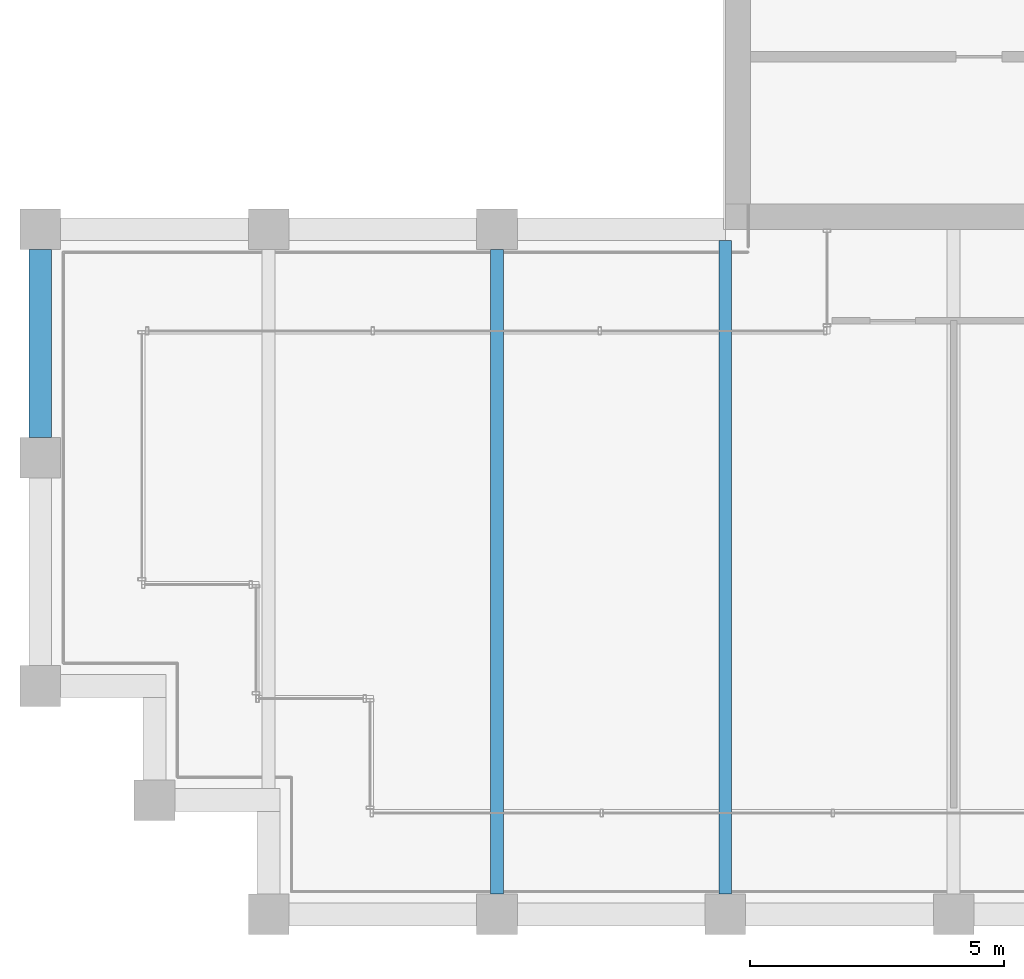
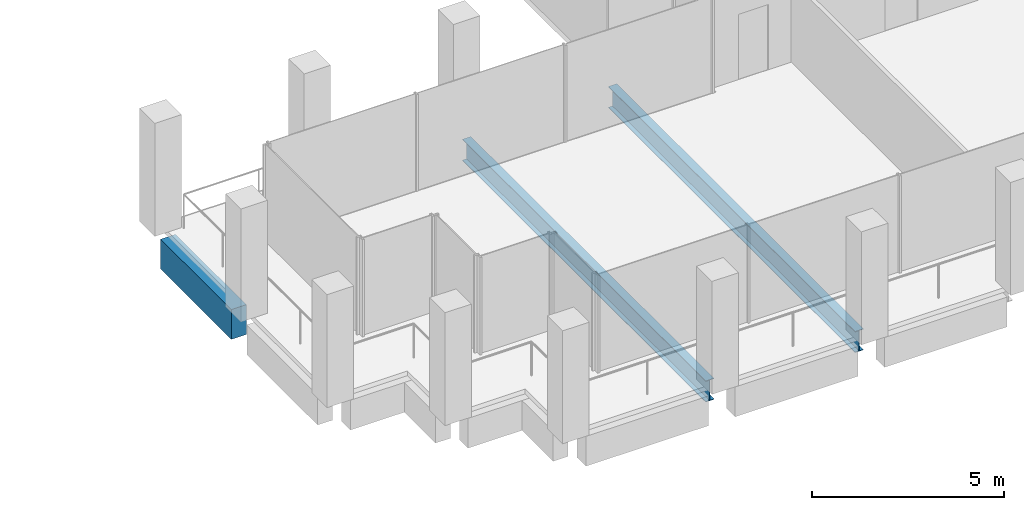
# One storey, part 4 of 30: 3 beams.
"""IFC4 building model written with IfcOpenShell, lengths in metres."""

from ifc_helpers import new_model, si_unit, direction, frame, origin, origin_2d, place, context, subcontext, project, spatial, rectangle, i_section, extrude, material, material_profile, profile_set, type_object, element, save


model = new_model("IFC4")

# Units and contexts
model_context = context("Model", 3, precision=1e-05, world=origin(), true_north=direction((0.0, 1.0)))
body_context = subcontext(model_context, "Body", "Model", "MODEL_VIEW")
ifc_project = project(units=[si_unit("LENGTHUNIT", "METRE"), si_unit("AREAUNIT", "SQUARE_METRE"), si_unit("VOLUMEUNIT", "CUBIC_METRE"), si_unit("PLANEANGLEUNIT", "RADIAN"), si_unit("MASSUNIT", "GRAM", prefix="KILO")], contexts=[model_context])

# Site, building, storey
site_placement = place(None, origin())
site = spatial("IfcSite", under=ifc_project, at=site_placement, CompositionType="ELEMENT")
building_placement = place(site_placement, origin())
building = spatial("IfcBuilding", under=site, at=building_placement, Name="Altepetl Exchange Towers", CompositionType="ELEMENT")
storey_placement = place(building_placement, frame((0.0, 0.0, 242.39990234375)))
storey = spatial("IfcBuildingStorey", under=building, at=storey_placement, Name="L62", CompositionType="ELEMENT", Elevation=242.39990234375)

# Beams
ifc_material_1 = material(Name="Steel S355", Category="steel")
ifc_material_profile_1 = material_profile(ifc_material_1, i_section(OverallWidth=0.2529296875, OverallDepth=0.677978515625, WebThickness=0.01171875, FlangeThickness=0.016357421875, at=origin_2d()), Name="W27X84")
ifc_profile_set_1 = profile_set([ifc_material_profile_1], Name="Steel S355")
beam_type_1 = type_object("IfcBeamType", Name="Floor beam W27X84", PredefinedType="BEAM", material=ifc_profile_set_1)
beam_1_placement = place(storey_placement, frame((36.0, 27.39990234375, -0.489013671875), z_axis=(0.0, 1.0, 0.0), x_axis=(-1.0, 0.0, 0.0)))
element("IfcBeam", 1, at=beam_1_placement, inside=storey, type_object=beam_type_1, Name="bm:A:L62:013", PredefinedType="BEAM", context=body_context, shape_type="SweptSolid", body=[
    extrude(i_section(OverallWidth=0.2529296875, OverallDepth=0.677978515625, WebThickness=0.01171875, FlangeThickness=0.016357421875, at=origin_2d()), origin(), (0.0, 0.0, 1.0), 12.7001953125),
])
beam_2_placement = place(storey_placement, frame((40.5, 27.39990234375, -0.489013671875), z_axis=(0.0, 1.0, 0.0), x_axis=(-1.0, 0.0, 0.0)))
element("IfcBeam", 2, at=beam_2_placement, inside=storey, type_object=beam_type_1, Name="bm:A:L62:014", PredefinedType="BEAM", context=body_context, shape_type="SweptSolid", body=[
    extrude(i_section(OverallWidth=0.2529296875, OverallDepth=0.677978515625, WebThickness=0.01171875, FlangeThickness=0.016357421875, at=origin_2d()), origin(), (0.0, 0.0, 1.0), 12.875),
])
ifc_material_2 = material(Name="Concrete C50/60 precast with cantera blanca facing", Category="concrete")
ifc_material_profile_2 = material_profile(ifc_material_2, rectangle(XDim=0.449951171875, YDim=0.949951171875, at=origin_2d()), Name="450 x 950")
ifc_profile_set_2 = profile_set([ifc_material_profile_2], Name="Concrete C50/60 precast with cantera blanca facing")
beam_type_2 = type_object("IfcBeamType", Name="Spandrel beam 450x950 cantera blanca", PredefinedType="SPANDREL", material=ifc_profile_set_2)
beam_3_placement = place(storey_placement, frame((27.0, 40.10009765625, -0.625), z_axis=(0.0, -1.0, 0.0), x_axis=(1.0, 0.0, 0.0)))
element("IfcBeam", 3, at=beam_3_placement, inside=storey, type_object=beam_type_2, Name="sp:A:L62:036", PredefinedType="SPANDREL", context=body_context, shape_type="SweptSolid", body=[
    extrude(rectangle(XDim=0.449951171875, YDim=0.949951171875, at=origin_2d()), origin(), (0.0, 0.0, 1.0), 3.7001953125),
])

save(model, "model.ifc")
